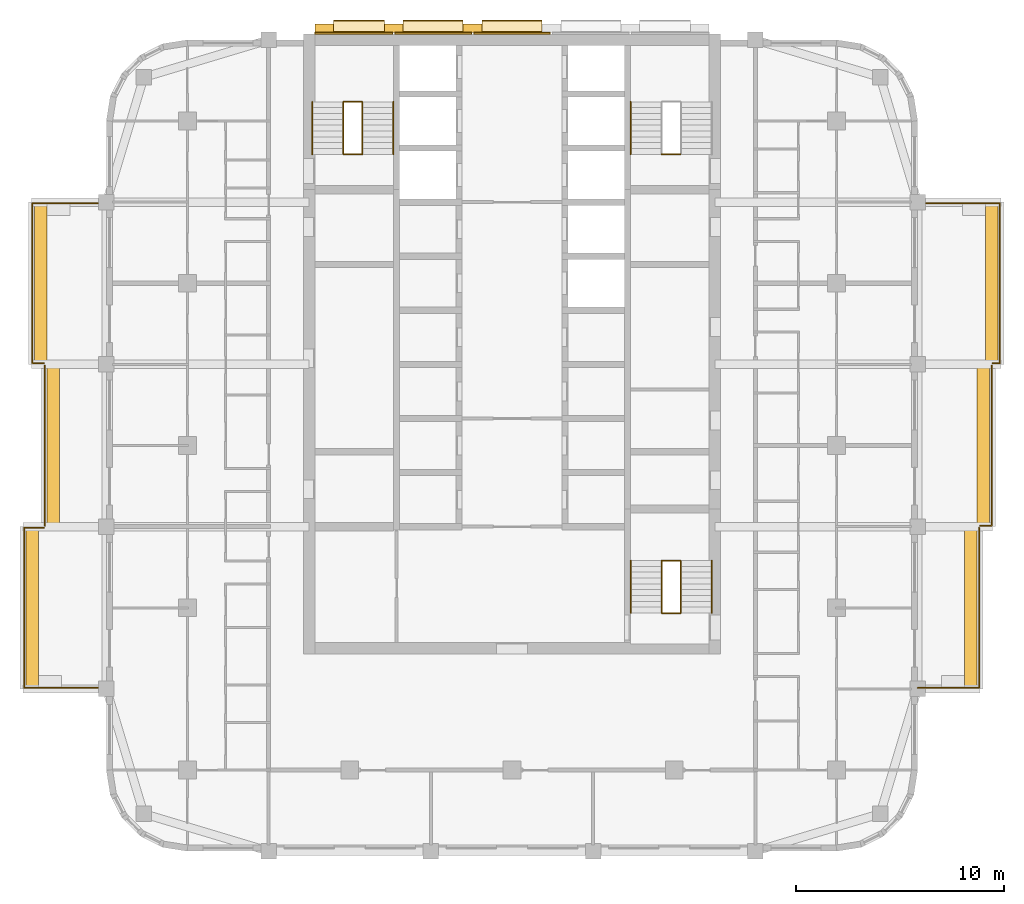
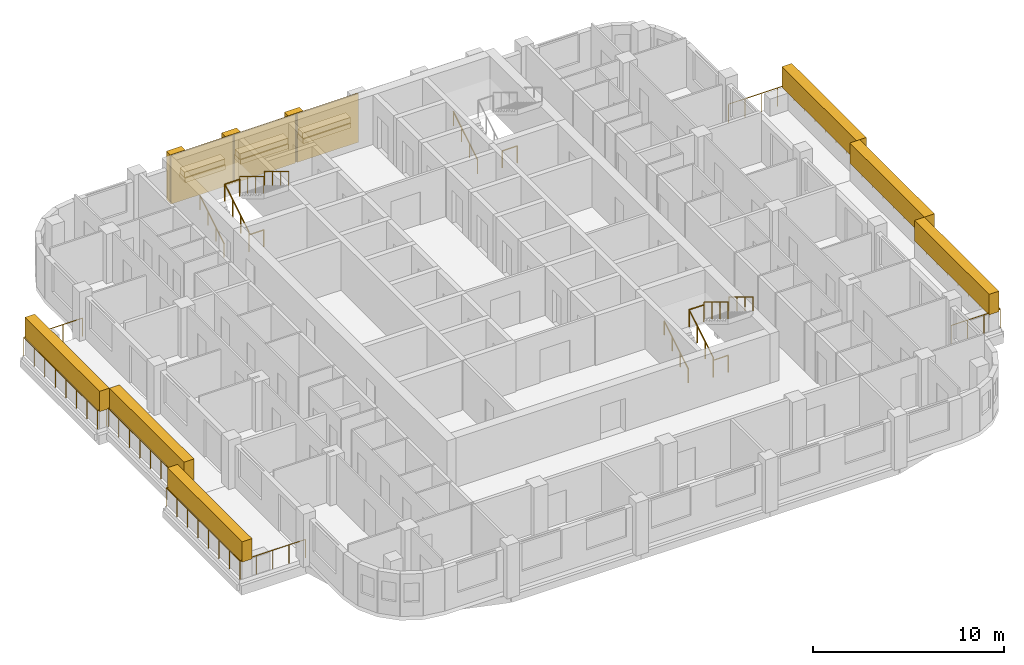
# One storey, part 12 of 13: 20 railings, 18 coverings, 3 elements without a shape of their own.
"""IFC4 building model written with IfcOpenShell, lengths in metres."""

from ifc_helpers import new_model, si_unit, direction, frame, origin, origin_2d, place, context, subcontext, project, spatial, rectangle, circle, extrude, material, layer, layer_set, type_object, element, aggregate, save


model = new_model("IFC4")

# Units and contexts
model_context = context("Model", 3, precision=1e-05, world=origin(), true_north=direction((0.0, 1.0)))
body_context = subcontext(model_context, "Body", "Model", "MODEL_VIEW")
ifc_project = project(units=[si_unit("LENGTHUNIT", "METRE"), si_unit("AREAUNIT", "SQUARE_METRE"), si_unit("VOLUMEUNIT", "CUBIC_METRE"), si_unit("PLANEANGLEUNIT", "RADIAN"), si_unit("MASSUNIT", "GRAM", prefix="KILO")], contexts=[model_context])

# Site, building, storey
site_placement = place(None, origin())
site = spatial("IfcSite", under=ifc_project, at=site_placement, CompositionType="ELEMENT")
building_placement = place(site_placement, origin())
building = spatial("IfcBuilding", under=site, at=building_placement, Name="Ludao Terraces", CompositionType="ELEMENT")
storey_placement = place(building_placement, frame((0.0, 0.0, 152.0)))
storey = spatial("IfcBuildingStorey", under=building, at=storey_placement, Name="L41", CompositionType="ELEMENT", Elevation=152.0)

# Railings
ifc_material_1 = material(Name="Stainless steel 304", Category="steel")
railing_type_1 = type_object("IfcRailingType", Name="ENV Balcony glass guard 1200", PredefinedType="GUARDRAIL", material=ifc_material_1)
railing_1_placement = place(storey_placement, frame((104.5, 53.35009765625, 0.0)))
element("IfcRailing", 1, at=railing_1_placement, inside=storey, type_object=railing_type_1, Name="Balcony guard L41 E1", PredefinedType="GUARDRAIL", context=body_context, shape_type="SweptSolid", body=[
    extrude(circle(Radius=0.02392578125, at=origin_2d()), frame((0.0, 0.0, 1.17578125), z_axis=(1.0, 0.0, 0.0), x_axis=(0.0, 1.0, 0.0)), (0.0, 0.0, 1.0), 2.949951171875),
    extrude(circle(Radius=0.02392578125, at=origin_2d()), frame((2.949951171875, 0.0, 1.17578125), z_axis=(0.0, 1.0, 0.0), x_axis=(-1.0, 0.0, 0.0)), (0.0, 0.0, 1.0), 7.699951171875),
    extrude(circle(Radius=0.02099609375, at=origin_2d()), origin(), (0.0, 0.0, 1.0), 1.15185546875),
    extrude(circle(Radius=0.02099609375, at=origin_2d()), frame((0.9833984375, 0.0, 0.0)), (0.0, 0.0, 1.0), 1.15185546875),
    extrude(circle(Radius=0.02099609375, at=origin_2d()), frame((1.966552734375, 0.0, 0.0)), (0.0, 0.0, 1.0), 1.15185546875),
    extrude(circle(Radius=0.02099609375, at=origin_2d()), frame((2.949951171875, 0.0, 0.0)), (0.0, 0.0, 1.0), 1.15185546875),
    extrude(circle(Radius=0.02099609375, at=origin_2d()), frame((2.949951171875, 1.10009765625, 0.0)), (0.0, 0.0, 1.0), 1.15185546875),
    extrude(circle(Radius=0.02099609375, at=origin_2d()), frame((2.949951171875, 2.199951171875, 0.0)), (0.0, 0.0, 1.0), 1.15185546875),
    extrude(circle(Radius=0.02099609375, at=origin_2d()), frame((2.949951171875, 3.300048828125, 0.0)), (0.0, 0.0, 1.0), 1.15185546875),
    extrude(circle(Radius=0.02099609375, at=origin_2d()), frame((2.949951171875, 4.39990234375, 0.0)), (0.0, 0.0, 1.0), 1.15185546875),
    extrude(circle(Radius=0.02099609375, at=origin_2d()), frame((2.949951171875, 5.5, 0.0)), (0.0, 0.0, 1.0), 1.15185546875),
    extrude(circle(Radius=0.02099609375, at=origin_2d()), frame((2.949951171875, 6.599853515625, 0.0)), (0.0, 0.0, 1.0), 1.15185546875),
    extrude(circle(Radius=0.02099609375, at=origin_2d()), frame((2.949951171875, 7.699951171875, 0.0)), (0.0, 0.0, 1.0), 1.15185546875),
])
railing_2_placement = place(storey_placement, frame((107.5, 61.14990234375, 0.0)))
element("IfcRailing", 2, at=railing_2_placement, inside=storey, type_object=railing_type_1, Name="Balcony guard L41 E2", PredefinedType="GUARDRAIL", context=body_context, shape_type="SweptSolid", body=[
    extrude(circle(Radius=0.02392578125, at=origin_2d()), frame((0.0, 0.0, 1.17578125), z_axis=(1.0, 0.0, 0.0), x_axis=(0.0, 1.0, 0.0)), (0.0, 0.0, 1.0), 0.550048828125),
    extrude(circle(Radius=0.02392578125, at=origin_2d()), frame((0.550048828125, 0.0, 1.17578125), z_axis=(0.0, 1.0, 0.0), x_axis=(-1.0, 0.0, 0.0)), (0.0, 0.0, 1.0), 7.7001953125),
    extrude(circle(Radius=0.02099609375, at=origin_2d()), origin(), (0.0, 0.0, 1.0), 1.15185546875),
    extrude(circle(Radius=0.02099609375, at=origin_2d()), frame((0.550048828125, 0.0, 0.0)), (0.0, 0.0, 1.0), 1.15185546875),
    extrude(circle(Radius=0.02099609375, at=origin_2d()), frame((0.550048828125, 1.10009765625, 0.0)), (0.0, 0.0, 1.0), 1.15185546875),
    extrude(circle(Radius=0.02099609375, at=origin_2d()), frame((0.550048828125, 2.199951171875, 0.0)), (0.0, 0.0, 1.0), 1.15185546875),
    extrude(circle(Radius=0.02099609375, at=origin_2d()), frame((0.550048828125, 3.300048828125, 0.0)), (0.0, 0.0, 1.0), 1.15185546875),
    extrude(circle(Radius=0.02099609375, at=origin_2d()), frame((0.550048828125, 4.400146484375, 0.0)), (0.0, 0.0, 1.0), 1.15185546875),
    extrude(circle(Radius=0.02099609375, at=origin_2d()), frame((0.550048828125, 5.500244140625, 0.0)), (0.0, 0.0, 1.0), 1.15185546875),
    extrude(circle(Radius=0.02099609375, at=origin_2d()), frame((0.550048828125, 6.60009765625, 0.0)), (0.0, 0.0, 1.0), 1.15185546875),
    extrude(circle(Radius=0.02099609375, at=origin_2d()), frame((0.550048828125, 7.7001953125, 0.0)), (0.0, 0.0, 1.0), 1.15185546875),
])
railing_3_placement = place(storey_placement, frame((108.10009765625, 68.949951171875, 0.0)))
element("IfcRailing", 3, at=railing_3_placement, inside=storey, type_object=railing_type_1, Name="Balcony guard L41 E3", PredefinedType="GUARDRAIL", context=body_context, shape_type="SweptSolid", body=[
    extrude(circle(Radius=0.02392578125, at=origin_2d()), frame((0.0, 0.0, 1.17578125), z_axis=(1.0, 0.0, 0.0), x_axis=(0.0, 1.0, 0.0)), (0.0, 0.0, 1.0), 0.349853515625),
    extrude(circle(Radius=0.02392578125, at=origin_2d()), frame((0.349853515625, 0.0, 1.17578125), z_axis=(0.0, 1.0, 0.0), x_axis=(-1.0, 0.0, 0.0)), (0.0, 0.0, 1.0), 7.699951171875),
    extrude(circle(Radius=0.02392578125, at=origin_2d()), frame((0.349853515625, 7.699951171875, 1.17578125), z_axis=(-1.0, 0.0, 0.0), x_axis=(0.0, -1.0, 0.0)), (0.0, 0.0, 1.0), 3.949951171875),
    extrude(circle(Radius=0.02099609375, at=origin_2d()), origin(), (0.0, 0.0, 1.0), 1.15185546875),
    extrude(circle(Radius=0.02099609375, at=origin_2d()), frame((0.349853515625, 0.0, 0.0)), (0.0, 0.0, 1.0), 1.15185546875),
    extrude(circle(Radius=0.02099609375, at=origin_2d()), frame((0.349853515625, 1.10009765625, 0.0)), (0.0, 0.0, 1.0), 1.15185546875),
    extrude(circle(Radius=0.02099609375, at=origin_2d()), frame((0.349853515625, 2.199951171875, 0.0)), (0.0, 0.0, 1.0), 1.15185546875),
    extrude(circle(Radius=0.02099609375, at=origin_2d()), frame((0.349853515625, 3.300048828125, 0.0)), (0.0, 0.0, 1.0), 1.15185546875),
    extrude(circle(Radius=0.02099609375, at=origin_2d()), frame((0.349853515625, 4.39990234375, 0.0)), (0.0, 0.0, 1.0), 1.15185546875),
    extrude(circle(Radius=0.02099609375, at=origin_2d()), frame((0.349853515625, 5.5, 0.0)), (0.0, 0.0, 1.0), 1.15185546875),
    extrude(circle(Radius=0.02099609375, at=origin_2d()), frame((0.349853515625, 6.599853515625, 0.0)), (0.0, 0.0, 1.0), 1.15185546875),
    extrude(circle(Radius=0.02099609375, at=origin_2d()), frame((0.349853515625, 7.699951171875, 0.0)), (0.0, 0.0, 1.0), 1.15185546875),
    extrude(circle(Radius=0.02099609375, at=origin_2d()), frame((-0.6376953125, 7.699951171875, 0.0)), (0.0, 0.0, 1.0), 1.15185546875),
    extrude(circle(Radius=0.02099609375, at=origin_2d()), frame((-1.625, 7.699951171875, 0.0)), (0.0, 0.0, 1.0), 1.15185546875),
    extrude(circle(Radius=0.02099609375, at=origin_2d()), frame((-2.612548828125, 7.699951171875, 0.0)), (0.0, 0.0, 1.0), 1.15185546875),
    extrude(circle(Radius=0.02099609375, at=origin_2d()), frame((-3.60009765625, 7.699951171875, 0.0)), (0.0, 0.0, 1.0), 1.15185546875),
])
railing_4_placement = place(storey_placement, frame((65.5, 53.35009765625, 0.0)))
element("IfcRailing", 4, at=railing_4_placement, inside=storey, type_object=railing_type_1, Name="Balcony guard L41 W1", PredefinedType="GUARDRAIL", context=body_context, shape_type="SweptSolid", body=[
    extrude(circle(Radius=0.02392578125, at=origin_2d()), frame((0.0, 0.0, 1.17578125), z_axis=(-1.0, 0.0, 0.0), x_axis=(0.0, -1.0, 0.0)), (0.0, 0.0, 1.0), 3.949951171875),
    extrude(circle(Radius=0.02392578125, at=origin_2d()), frame((-3.949951171875, 0.0, 1.17578125), z_axis=(0.0, 1.0, 0.0), x_axis=(-1.0, 0.0, 0.0)), (0.0, 0.0, 1.0), 7.699951171875),
    extrude(circle(Radius=0.02392578125, at=origin_2d()), frame((-3.949951171875, 7.699951171875, 1.17578125), z_axis=(1.0, 0.0, 0.0), x_axis=(0.0, 1.0, 0.0)), (0.0, 0.0, 1.0), 0.949951171875),
    extrude(circle(Radius=0.02099609375, at=origin_2d()), origin(), (0.0, 0.0, 1.0), 1.15185546875),
    extrude(circle(Radius=0.02099609375, at=origin_2d()), frame((-0.987548828125, 0.0, 0.0)), (0.0, 0.0, 1.0), 1.15185546875),
    extrude(circle(Radius=0.02099609375, at=origin_2d()), frame((-1.97509765625, 0.0, 0.0)), (0.0, 0.0, 1.0), 1.15185546875),
    extrude(circle(Radius=0.02099609375, at=origin_2d()), frame((-2.96240234375, 0.0, 0.0)), (0.0, 0.0, 1.0), 1.15185546875),
    extrude(circle(Radius=0.02099609375, at=origin_2d()), frame((-3.949951171875, 0.0, 0.0)), (0.0, 0.0, 1.0), 1.15185546875),
    extrude(circle(Radius=0.02099609375, at=origin_2d()), frame((-3.949951171875, 1.10009765625, 0.0)), (0.0, 0.0, 1.0), 1.15185546875),
    extrude(circle(Radius=0.02099609375, at=origin_2d()), frame((-3.949951171875, 2.199951171875, 0.0)), (0.0, 0.0, 1.0), 1.15185546875),
    extrude(circle(Radius=0.02099609375, at=origin_2d()), frame((-3.949951171875, 3.300048828125, 0.0)), (0.0, 0.0, 1.0), 1.15185546875),
    extrude(circle(Radius=0.02099609375, at=origin_2d()), frame((-3.949951171875, 4.39990234375, 0.0)), (0.0, 0.0, 1.0), 1.15185546875),
    extrude(circle(Radius=0.02099609375, at=origin_2d()), frame((-3.949951171875, 5.5, 0.0)), (0.0, 0.0, 1.0), 1.15185546875),
    extrude(circle(Radius=0.02099609375, at=origin_2d()), frame((-3.949951171875, 6.599853515625, 0.0)), (0.0, 0.0, 1.0), 1.15185546875),
    extrude(circle(Radius=0.02099609375, at=origin_2d()), frame((-3.949951171875, 7.699951171875, 0.0)), (0.0, 0.0, 1.0), 1.15185546875),
    extrude(circle(Radius=0.02099609375, at=origin_2d()), frame((-3.0, 7.699951171875, 0.0)), (0.0, 0.0, 1.0), 1.15185546875),
])
railing_5_placement = place(storey_placement, frame((62.550048828125, 61.14990234375, 0.0)))
element("IfcRailing", 5, at=railing_5_placement, inside=storey, type_object=railing_type_1, Name="Balcony guard L41 W2", PredefinedType="GUARDRAIL", context=body_context, shape_type="SweptSolid", body=[
    extrude(circle(Radius=0.02392578125, at=origin_2d()), frame((0.0, 0.0, 1.17578125), z_axis=(0.0, 1.0, 0.0), x_axis=(-1.0, 0.0, 0.0)), (0.0, 0.0, 1.0), 7.7001953125),
    extrude(circle(Radius=0.02099609375, at=origin_2d()), origin(), (0.0, 0.0, 1.0), 1.15185546875),
    extrude(circle(Radius=0.02099609375, at=origin_2d()), frame((0.0, 1.10009765625, 0.0)), (0.0, 0.0, 1.0), 1.15185546875),
    extrude(circle(Radius=0.02099609375, at=origin_2d()), frame((0.0, 2.199951171875, 0.0)), (0.0, 0.0, 1.0), 1.15185546875),
    extrude(circle(Radius=0.02099609375, at=origin_2d()), frame((0.0, 3.300048828125, 0.0)), (0.0, 0.0, 1.0), 1.15185546875),
    extrude(circle(Radius=0.02099609375, at=origin_2d()), frame((0.0, 4.400146484375, 0.0)), (0.0, 0.0, 1.0), 1.15185546875),
    extrude(circle(Radius=0.02099609375, at=origin_2d()), frame((0.0, 5.500244140625, 0.0)), (0.0, 0.0, 1.0), 1.15185546875),
    extrude(circle(Radius=0.02099609375, at=origin_2d()), frame((0.0, 6.60009765625, 0.0)), (0.0, 0.0, 1.0), 1.15185546875),
    extrude(circle(Radius=0.02099609375, at=origin_2d()), frame((0.0, 7.7001953125, 0.0)), (0.0, 0.0, 1.0), 1.15185546875),
])
railing_6_placement = place(storey_placement, frame((62.5, 68.949951171875, 0.0)))
element("IfcRailing", 6, at=railing_6_placement, inside=storey, type_object=railing_type_1, Name="Balcony guard L41 W3", PredefinedType="GUARDRAIL", context=body_context, shape_type="SweptSolid", body=[
    extrude(circle(Radius=0.02392578125, at=origin_2d()), frame((0.0, 0.0, 1.17578125), z_axis=(-1.0, 0.0, 0.0), x_axis=(0.0, -1.0, 0.0)), (0.0, 0.0, 1.0), 0.550048828125),
    extrude(circle(Radius=0.02392578125, at=origin_2d()), frame((-0.550048828125, 0.0, 1.17578125), z_axis=(0.0, 1.0, 0.0), x_axis=(-1.0, 0.0, 0.0)), (0.0, 0.0, 1.0), 7.699951171875),
    extrude(circle(Radius=0.02392578125, at=origin_2d()), frame((-0.550048828125, 7.699951171875, 1.17578125), z_axis=(1.0, 0.0, 0.0), x_axis=(0.0, 1.0, 0.0)), (0.0, 0.0, 1.0), 3.550048828125),
    extrude(circle(Radius=0.02099609375, at=origin_2d()), origin(), (0.0, 0.0, 1.0), 1.15185546875),
    extrude(circle(Radius=0.02099609375, at=origin_2d()), frame((-0.550048828125, 0.0, 0.0)), (0.0, 0.0, 1.0), 1.15185546875),
    extrude(circle(Radius=0.02099609375, at=origin_2d()), frame((-0.550048828125, 1.10009765625, 0.0)), (0.0, 0.0, 1.0), 1.15185546875),
    extrude(circle(Radius=0.02099609375, at=origin_2d()), frame((-0.550048828125, 2.199951171875, 0.0)), (0.0, 0.0, 1.0), 1.15185546875),
    extrude(circle(Radius=0.02099609375, at=origin_2d()), frame((-0.550048828125, 3.300048828125, 0.0)), (0.0, 0.0, 1.0), 1.15185546875),
    extrude(circle(Radius=0.02099609375, at=origin_2d()), frame((-0.550048828125, 4.39990234375, 0.0)), (0.0, 0.0, 1.0), 1.15185546875),
    extrude(circle(Radius=0.02099609375, at=origin_2d()), frame((-0.550048828125, 5.5, 0.0)), (0.0, 0.0, 1.0), 1.15185546875),
    extrude(circle(Radius=0.02099609375, at=origin_2d()), frame((-0.550048828125, 6.599853515625, 0.0)), (0.0, 0.0, 1.0), 1.15185546875),
    extrude(circle(Radius=0.02099609375, at=origin_2d()), frame((-0.550048828125, 7.699951171875, 0.0)), (0.0, 0.0, 1.0), 1.15185546875),
    extrude(circle(Radius=0.02099609375, at=origin_2d()), frame((0.63330078125, 7.699951171875, 0.0)), (0.0, 0.0, 1.0), 1.15185546875),
    extrude(circle(Radius=0.02099609375, at=origin_2d()), frame((1.816650390625, 7.699951171875, 0.0)), (0.0, 0.0, 1.0), 1.15185546875),
    extrude(circle(Radius=0.02099609375, at=origin_2d()), frame((3.0, 7.699951171875, 0.0)), (0.0, 0.0, 1.0), 1.15185546875),
])

# Coverings
ifc_material_2 = material(Name="Granite cladding", Category="masonry")
ifc_layer_1 = layer(ifc_material_2, 0.39990234375)
ifc_layer_set_1 = layer_set([ifc_layer_1], Name="ENV Core pilaster stone 400")
covering_type_1 = type_object("IfcCoveringType", Name="ENV Core pilaster stone 400", PredefinedType="CLADDING", material=ifc_layer_set_1)
for number, where, z_axis, x_axis, name in (
    (7, (75.97509765625, 85.054931640625, 0.0), (0.0, 0.0, 1.0), (1.0, 0.0, 0.0), "CC-L41-PIL1"),
    (8, (79.31494140625, 85.054931640625, 0.0), (0.0, 0.0, 1.0), (1.0, 0.0, 0.0), "CC-L41-PIL2"),
    (9, (83.10498046875, 85.054931640625, 0.0), (0.0, 0.0, 1.0), (1.0, 0.0, 0.0), "CC-L41-PIL3"),
):
    element("IfcCovering", number, at=place(storey_placement, frame(where, z_axis=z_axis, x_axis=x_axis)), inside=storey, type_object=covering_type_1, Name=name, PredefinedType="CLADDING", context=body_context, shape_type="SweptSolid", body=[
        extrude(rectangle(XDim=0.89990234375, YDim=0.39990234375, at=origin_2d()), origin(), (0.0, 0.0, 1.0), 3.10009765625),
    ])
ifc_layer_2 = layer(ifc_material_2, 0.60009765625)
ifc_layer_set_2 = layer_set([ifc_layer_2], Name="ENV Core planting shelf stone 600")
covering_type_2 = type_object("IfcCoveringType", Name="ENV Core planting shelf stone 600", PredefinedType="CLADDING", material=ifc_layer_set_2)
covering_1_placement = place(storey_placement, frame((77.64501953125, 85.155029296875, 1.0), z_axis=(0.0, 0.0, 1.0), x_axis=(1.0, 0.0, 0.0)))
element("IfcCovering", 10, at=covering_1_placement, inside=storey, type_object=covering_type_2, Name="CC-L41-SHELF1", PredefinedType="CLADDING", context=body_context, shape_type="SweptSolid", body=[
    extrude(rectangle(XDim=2.43994140625, YDim=0.60009765625, at=origin_2d()), origin(), (0.0, 0.0, 1.0), 0.300048828125),
])
for number, where, z_axis, x_axis, name in (
    (11, (81.2099609375, 85.155029296875, 1.0), (0.0, 0.0, 1.0), (1.0, 0.0, 0.0), "CC-L41-SHELF2"),
    (12, (85.0, 85.155029296875, 1.0), (0.0, 0.0, 1.0), (1.0, 0.0, 0.0), "CC-L41-SHELF3"),
):
    element("IfcCovering", number, at=place(storey_placement, frame(where, z_axis=z_axis, x_axis=x_axis)), inside=storey, type_object=covering_type_2, Name=name, PredefinedType="CLADDING", context=body_context, shape_type="SweptSolid", body=[
        extrude(rectangle(XDim=2.889892578125, YDim=0.60009765625, at=origin_2d()), origin(), (0.0, 0.0, 1.0), 0.300048828125),
    ])
ifc_layer_3 = layer(ifc_material_2, 0.080078125)
ifc_layer_set_3 = layer_set([ifc_layer_3], Name="ENV Core stone cladding panel 80")
covering_type_3 = type_object("IfcCoveringType", Name="ENV Core stone cladding panel 80", PredefinedType="CLADDING", material=ifc_layer_set_3)
covering_2_placement = place(storey_placement, frame((77.39501953125, 84.81494140625, 0.0), z_axis=(0.0, 0.0, 1.0), x_axis=(1.0, 0.0, 0.0)))
element("IfcCovering", 13, at=covering_2_placement, inside=storey, type_object=covering_type_3, Name="CC-L41-CORE1", PredefinedType="CLADDING", context=body_context, shape_type="SweptSolid", body=[
    extrude(rectangle(XDim=3.739990234375, YDim=0.080078125, at=origin_2d()), origin(), (0.0, 0.0, 1.0), 3.10009765625),
])
for number, where, z_axis, x_axis, name in (
    (14, (81.2099609375, 84.81494140625, 0.0), (0.0, 0.0, 1.0), (1.0, 0.0, 0.0), "CC-L41-CORE2"),
    (15, (85.0, 84.81494140625, 0.0), (0.0, 0.0, 1.0), (1.0, 0.0, 0.0), "CC-L41-CORE3"),
):
    element("IfcCovering", number, at=place(storey_placement, frame(where, z_axis=z_axis, x_axis=x_axis)), inside=storey, type_object=covering_type_3, Name=name, PredefinedType="CLADDING", context=body_context, shape_type="SweptSolid", body=[
        extrude(rectangle(XDim=3.68994140625, YDim=0.080078125, at=origin_2d()), origin(), (0.0, 0.0, 1.0), 3.10009765625),
    ])
ifc_material_3 = material(Name="Planting")
ifc_layer_4 = layer(ifc_material_3, 0.60009765625)
ifc_layer_set_4 = layer_set([ifc_layer_4], Name="ENV Planting hedge 600x1300")
covering_type_4 = type_object("IfcCoveringType", Name="ENV Planting hedge 600x1300", PredefinedType="USERDEFINED", material=ifc_layer_set_4)
for number, where, z_axis, x_axis, name in (
    (16, (107.050048828125, 57.199951171875, 1.10009765625), (0.0, 0.0, 1.0), (1.0, 0.0, 0.0), "Planting hedge L41-E1"),
    (17, (107.64990234375, 65.0, 1.10009765625), (0.0, 0.0, 1.0), (1.0, 0.0, 0.0), "Planting hedge L41-E2"),
    (18, (108.050048828125, 72.800048828125, 1.10009765625), (0.0, 0.0, 1.0), (1.0, 0.0, 0.0), "Planting hedge L41-E3"),
    (19, (61.949951171875, 57.199951171875, 1.10009765625), (0.0, 0.0, 1.0), (1.0, 0.0, 0.0), "Planting hedge L41-W1"),
    (20, (62.949951171875, 65.0, 1.10009765625), (0.0, 0.0, 1.0), (1.0, 0.0, 0.0), "Planting hedge L41-W2"),
    (21, (62.35009765625, 72.800048828125, 1.10009765625), (0.0, 0.0, 1.0), (1.0, 0.0, 0.0), "Planting hedge L41-W3"),
):
    element("IfcCovering", number, at=place(storey_placement, frame(where, z_axis=z_axis, x_axis=x_axis)), inside=storey, type_object=covering_type_4, Name=name, ObjectType="PLANTING", PredefinedType="USERDEFINED", context=body_context, shape_type="SweptSolid", body=[
        extrude(rectangle(XDim=0.60009765625, YDim=7.800048828125, at=origin_2d()), origin(), (0.0, 0.0, 1.0), 1.300048828125),
    ])
ifc_layer_5 = layer(ifc_material_3, 0.5)
ifc_layer_set_5 = layer_set([ifc_layer_5], Name="ENV Shelf planting bed 350")
covering_type_5 = type_object("IfcCoveringType", Name="ENV Shelf planting bed 350", PredefinedType="USERDEFINED", material=ifc_layer_set_5)
covering_3_placement = place(storey_placement, frame((77.64501953125, 85.155029296875, 1.300048828125), z_axis=(0.0, 0.0, 1.0), x_axis=(1.0, 0.0, 0.0)))
element("IfcCovering", 22, at=covering_3_placement, inside=storey, type_object=covering_type_5, Name="Shelf planting bed L41 1", ObjectType="PLANTING", PredefinedType="USERDEFINED", context=body_context, shape_type="SweptSolid", body=[
    extrude(rectangle(XDim=2.43994140625, YDim=0.5, at=origin_2d()), origin(), (0.0, 0.0, 1.0), 0.35009765625),
])
for number, where, z_axis, x_axis, name in (
    (23, (81.2099609375, 85.155029296875, 1.300048828125), (0.0, 0.0, 1.0), (1.0, 0.0, 0.0), "Shelf planting bed L41 2"),
    (24, (85.0, 85.155029296875, 1.300048828125), (0.0, 0.0, 1.0), (1.0, 0.0, 0.0), "Shelf planting bed L41 3"),
):
    element("IfcCovering", number, at=place(storey_placement, frame(where, z_axis=z_axis, x_axis=x_axis)), inside=storey, type_object=covering_type_5, Name=name, ObjectType="PLANTING", PredefinedType="USERDEFINED", context=body_context, shape_type="SweptSolid", body=[
        extrude(rectangle(XDim=2.889892578125, YDim=0.5, at=origin_2d()), origin(), (0.0, 0.0, 1.0), 0.35009765625),
    ])

# Stair, railings
ifc_material_4 = material(Name="Concrete C40", Category="concrete")
stair_type = type_object("IfcStairType", Name="INT Stair", PredefinedType="HALF_TURN_STAIR", material=ifc_material_4)
stair_1_placement = place(storey_placement, origin())
stair_1 = element("IfcStair", 25, at=stair_1_placement, inside=storey, type_object=stair_type, Name="EXIT STAIR 1", PredefinedType="HALF_TURN_STAIR")
railing_type_2 = type_object("IfcRailingType", Name="INT Stair guard 1100", PredefinedType="GUARDRAIL", material=ifc_material_1)
railing_7_placement = place(storey_placement, frame((76.89990234375, 79.0, 0.169921875)))
railing_7 = element("IfcRailing", 26, at=railing_7_placement, type_object=railing_type_2, Name="ST-L41-S1-R1G", PredefinedType="GUARDRAIL", context=body_context, shape_type="SweptSolid", body=[
    extrude(circle(Radius=0.02392578125, at=origin_2d()), frame((0.0, 0.0, 1.076171875), z_axis=(0.0, 0.85478489116, 0.518982456201), x_axis=(-1.0, 0.0, 0.0)), (0.0, 0.0, 1.0), 2.9482421875),
    extrude(circle(Radius=0.02099609375, at=origin_2d()), origin(), (0.0, 0.0, 1.0), 1.052001953125),
    extrude(circle(Radius=0.02099609375, at=origin_2d()), frame((0.0, 0.840087890625, 0.510009765625)), (0.0, 0.0, 1.0), 1.052001953125),
    extrude(circle(Radius=0.02099609375, at=origin_2d()), frame((0.0, 1.679931640625, 1.02001953125)), (0.0, 0.0, 1.0), 1.052001953125),
    extrude(circle(Radius=0.02099609375, at=origin_2d()), frame((0.0, 2.52001953125, 1.530029296875)), (0.0, 0.0, 1.0), 1.052001953125),
])
railing_8_placement = place(storey_placement, frame((77.800048828125, 81.52001953125, 1.8701171875)))
railing_8 = element("IfcRailing", 27, at=railing_8_placement, type_object=railing_type_2, Name="ST-L41-S1-R2G", PredefinedType="GUARDRAIL", context=body_context, shape_type="SweptSolid", body=[
    extrude(circle(Radius=0.02392578125, at=origin_2d()), frame((0.0, 0.0, 1.076171875), z_axis=(0.0, -0.854821627497, 0.518921945155), x_axis=(1.0, 0.0, 0.0)), (0.0, 0.0, 1.0), 2.947998046875),
    extrude(circle(Radius=0.02099609375, at=origin_2d()), origin(), (0.0, 0.0, 1.0), 1.052001953125),
    extrude(circle(Radius=0.02099609375, at=origin_2d()), frame((0.0, -0.840087890625, 0.510009765625)), (0.0, 0.0, 1.0), 1.052001953125),
    extrude(circle(Radius=0.02099609375, at=origin_2d()), frame((0.0, -1.679931640625, 1.019775390625)), (0.0, 0.0, 1.0), 1.052001953125),
    extrude(circle(Radius=0.02099609375, at=origin_2d()), frame((0.0, -2.52001953125, 1.52978515625)), (0.0, 0.0, 1.0), 1.052001953125),
])
railing_9_placement = place(storey_placement, frame((76.89990234375, 81.52001953125, 1.699951171875)))
railing_9 = element("IfcRailing", 28, at=railing_9_placement, type_object=railing_type_2, Name="ST-L41-S1-E1G", PredefinedType="GUARDRAIL", context=body_context, shape_type="SweptSolid", body=[
    extrude(circle(Radius=0.02392578125, at=origin_2d()), frame((0.0, 0.0, 1.076171875), z_axis=(1.0, 0.0, 0.0), x_axis=(0.0, 1.0, 0.0)), (0.0, 0.0, 1.0), 0.900146484375),
    extrude(circle(Radius=0.02099609375, at=origin_2d()), origin(), (0.0, 0.0, 1.0), 1.052001953125),
    extrude(circle(Radius=0.02099609375, at=origin_2d()), frame((0.900146484375, 0.0, 0.0)), (0.0, 0.0, 1.0), 1.052001953125),
])
railing_10_placement = place(storey_placement, frame((76.89990234375, 79.0, 0.0)))
railing_10 = element("IfcRailing", 29, at=railing_10_placement, type_object=railing_type_2, Name="ST-L41-S1-E2G", PredefinedType="GUARDRAIL", context=body_context, shape_type="SweptSolid", body=[
    extrude(circle(Radius=0.02392578125, at=origin_2d()), frame((0.0, 0.0, 1.076171875), z_axis=(1.0, 0.0, 0.0), x_axis=(0.0, 1.0, 0.0)), (0.0, 0.0, 1.0), 0.900146484375),
    extrude(circle(Radius=0.02099609375, at=origin_2d()), origin(), (0.0, 0.0, 1.0), 1.052001953125),
    extrude(circle(Radius=0.02099609375, at=origin_2d()), frame((0.900146484375, 0.0, 0.0)), (0.0, 0.0, 1.0), 1.052001953125),
])

# Stair, railing
stair_2_placement = place(storey_placement, origin())
stair_2 = element("IfcStair", 30, at=stair_2_placement, inside=storey, type_object=stair_type, Name="EXIT STAIR 2", PredefinedType="HALF_TURN_STAIR")
railing_11_placement = place(storey_placement, frame((92.199951171875, 79.0, 0.0)))
railing_11 = element("IfcRailing", 31, at=railing_11_placement, type_object=railing_type_2, Name="ST-L41-S2-E2G", PredefinedType="GUARDRAIL", context=body_context, shape_type="SweptSolid", body=[
    extrude(circle(Radius=0.02392578125, at=origin_2d()), frame((0.0, 0.0, 1.076171875), z_axis=(1.0, 0.0, 0.0), x_axis=(0.0, 1.0, 0.0)), (0.0, 0.0, 1.0), 0.900146484375),
    extrude(circle(Radius=0.02099609375, at=origin_2d()), origin(), (0.0, 0.0, 1.0), 1.052001953125),
    extrude(circle(Radius=0.02099609375, at=origin_2d()), frame((0.900146484375, 0.0, 0.0)), (0.0, 0.0, 1.0), 1.052001953125),
])

# Stair, railings
stair_3_placement = place(storey_placement, origin())
stair_3 = element("IfcStair", 32, at=stair_3_placement, inside=storey, type_object=stair_type, Name="EXIT STAIR 3", PredefinedType="HALF_TURN_STAIR")
railing_12_placement = place(storey_placement, frame((92.199951171875, 56.949951171875, 0.169921875)))
railing_12 = element("IfcRailing", 33, at=railing_12_placement, type_object=railing_type_2, Name="ST-L41-S3-R1G", PredefinedType="GUARDRAIL", context=body_context, shape_type="SweptSolid", body=[
    extrude(circle(Radius=0.02392578125, at=origin_2d()), frame((0.0, 0.0, 1.076171875), z_axis=(0.0, 0.85478489116, 0.518982456201), x_axis=(-1.0, 0.0, 0.0)), (0.0, 0.0, 1.0), 2.9482421875),
    extrude(circle(Radius=0.02099609375, at=origin_2d()), origin(), (0.0, 0.0, 1.0), 1.052001953125),
    extrude(circle(Radius=0.02099609375, at=origin_2d()), frame((0.0, 0.840087890625, 0.510009765625)), (0.0, 0.0, 1.0), 1.052001953125),
    extrude(circle(Radius=0.02099609375, at=origin_2d()), frame((0.0, 1.679931640625, 1.02001953125)), (0.0, 0.0, 1.0), 1.052001953125),
    extrude(circle(Radius=0.02099609375, at=origin_2d()), frame((0.0, 2.52001953125, 1.530029296875)), (0.0, 0.0, 1.0), 1.052001953125),
])
railing_13_placement = place(storey_placement, frame((93.10009765625, 59.469970703125, 1.8701171875)))
railing_13 = element("IfcRailing", 34, at=railing_13_placement, type_object=railing_type_2, Name="ST-L41-S3-R2G", PredefinedType="GUARDRAIL", context=body_context, shape_type="SweptSolid", body=[
    extrude(circle(Radius=0.02392578125, at=origin_2d()), frame((0.0, 0.0, 1.076171875), z_axis=(0.0, -0.854821627497, 0.518921945155), x_axis=(1.0, 0.0, 0.0)), (0.0, 0.0, 1.0), 2.947998046875),
    extrude(circle(Radius=0.02099609375, at=origin_2d()), origin(), (0.0, 0.0, 1.0), 1.052001953125),
    extrude(circle(Radius=0.02099609375, at=origin_2d()), frame((0.0, -0.840087890625, 0.510009765625)), (0.0, 0.0, 1.0), 1.052001953125),
    extrude(circle(Radius=0.02099609375, at=origin_2d()), frame((0.0, -1.679931640625, 1.019775390625)), (0.0, 0.0, 1.0), 1.052001953125),
    extrude(circle(Radius=0.02099609375, at=origin_2d()), frame((0.0, -2.52001953125, 1.52978515625)), (0.0, 0.0, 1.0), 1.052001953125),
])
railing_14_placement = place(storey_placement, frame((92.199951171875, 59.469970703125, 1.699951171875)))
railing_14 = element("IfcRailing", 35, at=railing_14_placement, type_object=railing_type_2, Name="ST-L41-S3-E1G", PredefinedType="GUARDRAIL", context=body_context, shape_type="SweptSolid", body=[
    extrude(circle(Radius=0.02392578125, at=origin_2d()), frame((0.0, 0.0, 1.076171875), z_axis=(1.0, 0.0, 0.0), x_axis=(0.0, 1.0, 0.0)), (0.0, 0.0, 1.0), 0.900146484375),
    extrude(circle(Radius=0.02099609375, at=origin_2d()), origin(), (0.0, 0.0, 1.0), 1.052001953125),
    extrude(circle(Radius=0.02099609375, at=origin_2d()), frame((0.900146484375, 0.0, 0.0)), (0.0, 0.0, 1.0), 1.052001953125),
])
railing_15_placement = place(storey_placement, frame((92.199951171875, 56.949951171875, 0.0)))
railing_15 = element("IfcRailing", 36, at=railing_15_placement, type_object=railing_type_2, Name="ST-L41-S3-E2G", PredefinedType="GUARDRAIL", context=body_context, shape_type="SweptSolid", body=[
    extrude(circle(Radius=0.02392578125, at=origin_2d()), frame((0.0, 0.0, 1.076171875), z_axis=(1.0, 0.0, 0.0), x_axis=(0.0, 1.0, 0.0)), (0.0, 0.0, 1.0), 0.900146484375),
    extrude(circle(Radius=0.02099609375, at=origin_2d()), origin(), (0.0, 0.0, 1.0), 1.052001953125),
    extrude(circle(Radius=0.02099609375, at=origin_2d()), frame((0.900146484375, 0.0, 0.0)), (0.0, 0.0, 1.0), 1.052001953125),
])

# Railing
railing_type_3 = type_object("IfcRailingType", Name="INT Stair handrail 900", PredefinedType="HANDRAIL", material=ifc_material_1)
railing_16_placement = place(storey_placement, frame((75.39990234375, 79.0, 0.169921875)))
railing_16 = element("IfcRailing", 37, at=railing_16_placement, type_object=railing_type_3, Name="ST-L41-S1-R1H", PredefinedType="HANDRAIL", context=body_context, shape_type="SweptSolid", body=[
    extrude(circle(Radius=0.02392578125, at=origin_2d()), frame((0.0, 0.0, 0.8759765625), z_axis=(0.0, 0.85478489116, 0.518982456201), x_axis=(-1.0, 0.0, 0.0)), (0.0, 0.0, 1.0), 2.9482421875),
    extrude(circle(Radius=0.02099609375, at=origin_2d()), origin(), (0.0, 0.0, 1.0), 0.851806640625),
    extrude(circle(Radius=0.02099609375, at=origin_2d()), frame((0.0, 0.840087890625, 0.510009765625)), (0.0, 0.0, 1.0), 0.851806640625),
    extrude(circle(Radius=0.02099609375, at=origin_2d()), frame((0.0, 1.679931640625, 1.02001953125)), (0.0, 0.0, 1.0), 0.851806640625),
    extrude(circle(Radius=0.02099609375, at=origin_2d()), frame((0.0, 2.52001953125, 1.530029296875)), (0.0, 0.0, 1.0), 0.851806640625),
])

railing_17_placement = place(storey_placement, frame((79.300048828125, 81.52001953125, 1.8701171875)))
railing_17 = element("IfcRailing", 38, at=railing_17_placement, type_object=railing_type_3, Name="ST-L41-S1-R2H", PredefinedType="HANDRAIL", context=body_context, shape_type="SweptSolid", body=[
    extrude(circle(Radius=0.02392578125, at=origin_2d()), frame((0.0, 0.0, 0.8759765625), z_axis=(0.0, -0.854821627497, 0.518921945155), x_axis=(1.0, 0.0, 0.0)), (0.0, 0.0, 1.0), 2.947998046875),
    extrude(circle(Radius=0.02099609375, at=origin_2d()), origin(), (0.0, 0.0, 1.0), 0.851806640625),
    extrude(circle(Radius=0.02099609375, at=origin_2d()), frame((0.0, -0.840087890625, 0.510009765625)), (0.0, 0.0, 1.0), 0.851806640625),
    extrude(circle(Radius=0.02099609375, at=origin_2d()), frame((0.0, -1.679931640625, 1.019775390625)), (0.0, 0.0, 1.0), 0.851806640625),
    extrude(circle(Radius=0.02099609375, at=origin_2d()), frame((0.0, -2.52001953125, 1.52978515625)), (0.0, 0.0, 1.0), 0.851806640625),
])

aggregate(stair_1, [railing_7, railing_16, railing_8, railing_17, railing_9, railing_10])

railing_18_placement = place(storey_placement, frame((90.699951171875, 79.0, 0.169921875)))
railing_18 = element("IfcRailing", 39, at=railing_18_placement, type_object=railing_type_3, Name="ST-L41-S2-R1H", PredefinedType="HANDRAIL", context=body_context, shape_type="SweptSolid", body=[
    extrude(circle(Radius=0.02392578125, at=origin_2d()), frame((0.0, 0.0, 0.8759765625), z_axis=(0.0, 0.85478489116, 0.518982456201), x_axis=(-1.0, 0.0, 0.0)), (0.0, 0.0, 1.0), 2.9482421875),
    extrude(circle(Radius=0.02099609375, at=origin_2d()), origin(), (0.0, 0.0, 1.0), 0.851806640625),
    extrude(circle(Radius=0.02099609375, at=origin_2d()), frame((0.0, 0.840087890625, 0.510009765625)), (0.0, 0.0, 1.0), 0.851806640625),
    extrude(circle(Radius=0.02099609375, at=origin_2d()), frame((0.0, 1.679931640625, 1.02001953125)), (0.0, 0.0, 1.0), 0.851806640625),
    extrude(circle(Radius=0.02099609375, at=origin_2d()), frame((0.0, 2.52001953125, 1.530029296875)), (0.0, 0.0, 1.0), 0.851806640625),
])

aggregate(stair_2, [railing_18, railing_11])

railing_19_placement = place(storey_placement, frame((90.699951171875, 56.949951171875, 0.169921875)))
railing_19 = element("IfcRailing", 40, at=railing_19_placement, type_object=railing_type_3, Name="ST-L41-S3-R1H", PredefinedType="HANDRAIL", context=body_context, shape_type="SweptSolid", body=[
    extrude(circle(Radius=0.02392578125, at=origin_2d()), frame((0.0, 0.0, 0.8759765625), z_axis=(0.0, 0.85478489116, 0.518982456201), x_axis=(-1.0, 0.0, 0.0)), (0.0, 0.0, 1.0), 2.9482421875),
    extrude(circle(Radius=0.02099609375, at=origin_2d()), origin(), (0.0, 0.0, 1.0), 0.851806640625),
    extrude(circle(Radius=0.02099609375, at=origin_2d()), frame((0.0, 0.840087890625, 0.510009765625)), (0.0, 0.0, 1.0), 0.851806640625),
    extrude(circle(Radius=0.02099609375, at=origin_2d()), frame((0.0, 1.679931640625, 1.02001953125)), (0.0, 0.0, 1.0), 0.851806640625),
    extrude(circle(Radius=0.02099609375, at=origin_2d()), frame((0.0, 2.52001953125, 1.530029296875)), (0.0, 0.0, 1.0), 0.851806640625),
])

railing_20_placement = place(storey_placement, frame((94.60009765625, 59.469970703125, 1.8701171875)))
railing_20 = element("IfcRailing", 41, at=railing_20_placement, type_object=railing_type_3, Name="ST-L41-S3-R2H", PredefinedType="HANDRAIL", context=body_context, shape_type="SweptSolid", body=[
    extrude(circle(Radius=0.02392578125, at=origin_2d()), frame((0.0, 0.0, 0.8759765625), z_axis=(0.0, -0.854821627497, 0.518921945155), x_axis=(1.0, 0.0, 0.0)), (0.0, 0.0, 1.0), 2.947998046875),
    extrude(circle(Radius=0.02099609375, at=origin_2d()), origin(), (0.0, 0.0, 1.0), 0.851806640625),
    extrude(circle(Radius=0.02099609375, at=origin_2d()), frame((0.0, -0.840087890625, 0.510009765625)), (0.0, 0.0, 1.0), 0.851806640625),
    extrude(circle(Radius=0.02099609375, at=origin_2d()), frame((0.0, -1.679931640625, 1.019775390625)), (0.0, 0.0, 1.0), 0.851806640625),
    extrude(circle(Radius=0.02099609375, at=origin_2d()), frame((0.0, -2.52001953125, 1.52978515625)), (0.0, 0.0, 1.0), 0.851806640625),
])

aggregate(stair_3, [railing_12, railing_19, railing_13, railing_20, railing_14, railing_15])

save(model, "model.ifc")
